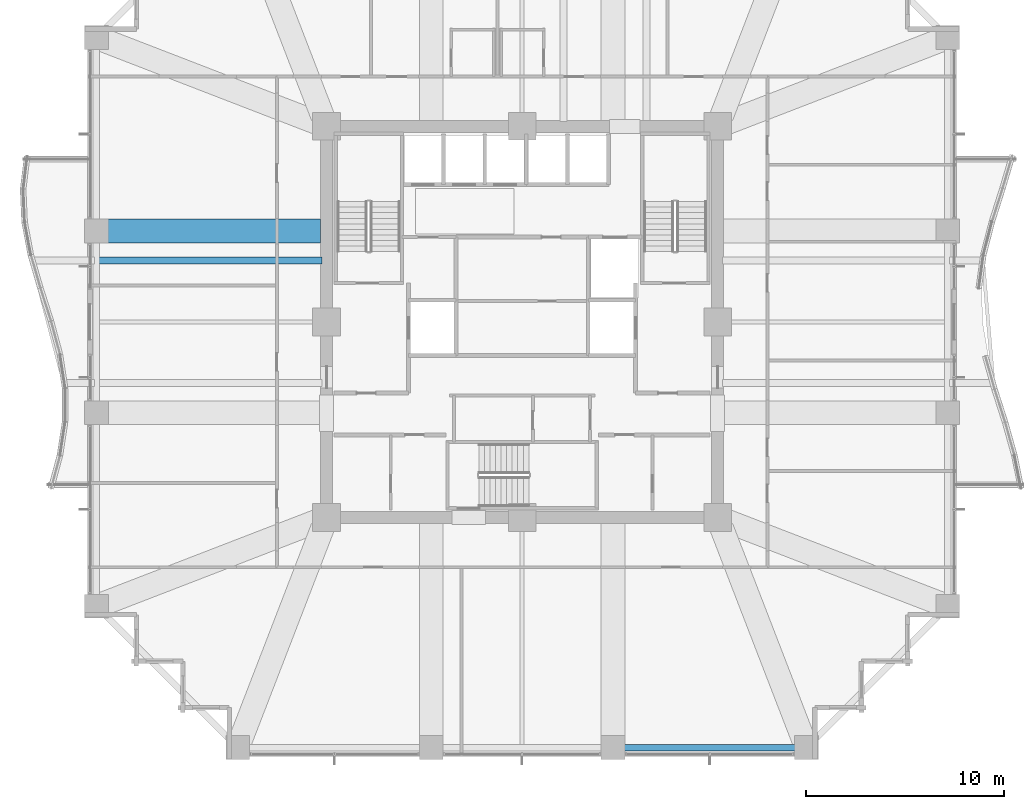
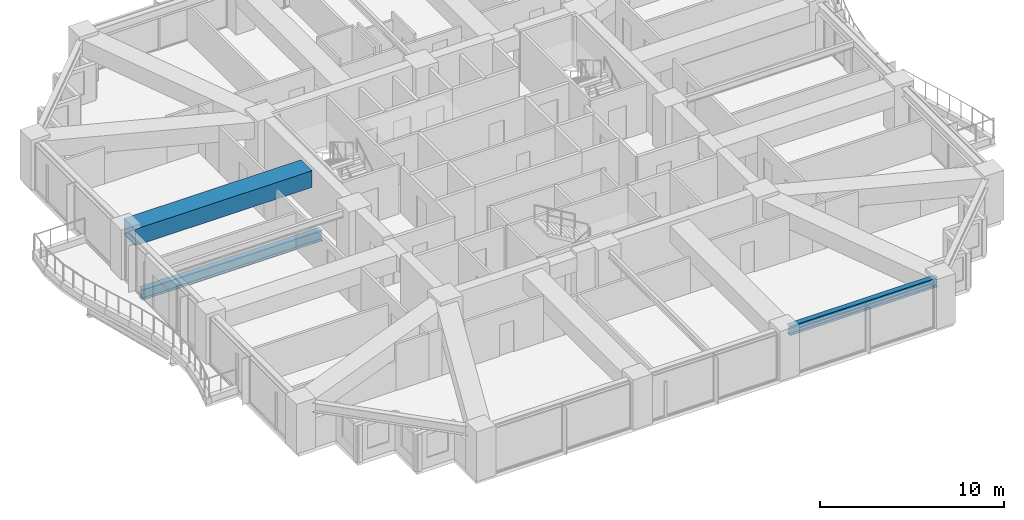
# One storey, part 10 of 39: 3 beams.
"""IFC4 building model written with IfcOpenShell, lengths in metres."""

from ifc_helpers import new_model, si_unit, direction, frame, origin, origin_2d, place, context, subcontext, project, spatial, rectangle, i_section, extrude, material, material_profile, profile_set, type_object, element, save


model = new_model("IFC4")

# Units and contexts
model_context = context("Model", 3, precision=1e-05, world=origin(), true_north=direction((0.0, 1.0)))
body_context = subcontext(model_context, "Body", "Model", "MODEL_VIEW")
ifc_project = project(units=[si_unit("LENGTHUNIT", "METRE"), si_unit("AREAUNIT", "SQUARE_METRE"), si_unit("VOLUMEUNIT", "CUBIC_METRE"), si_unit("PLANEANGLEUNIT", "RADIAN"), si_unit("MASSUNIT", "GRAM", prefix="KILO")], contexts=[model_context])

# Site, building, storey
site_placement = place(None, origin())
site = spatial("IfcSite", under=ifc_project, at=site_placement, CompositionType="ELEMENT")
building_placement = place(site_placement, origin())
building = spatial("IfcBuilding", under=site, at=building_placement, Name="Kolvaren Belvedere", CompositionType="ELEMENT")
storey_placement = place(building_placement, frame((0.0, 0.0, 33.699951171875)))
storey = spatial("IfcBuildingStorey", under=building, at=storey_placement, Name="L09", CompositionType="ELEMENT", Elevation=33.699951171875)

# Beams
ifc_material_1 = material(Name="Structural steel ASTM A992 Grade 50", Category="steel")
ifc_material_profile_1 = material_profile(ifc_material_1, i_section(OverallWidth=0.35498046875, OverallDepth=0.696044921875, WebThickness=0.015380859375, FlangeThickness=0.02490234375, FilletRadius=0.02197265625, at=origin_2d()), Name="W27X146")
ifc_profile_set_1 = profile_set([ifc_material_profile_1], Name="Structural steel ASTM A992 Grade 50")
beam_type_1 = type_object("IfcBeamType", Name="BM-GIRD-W27X146", PredefinedType="BEAM", material=ifc_profile_set_1)
beam_1_placement = place(storey_placement, frame((-10.139892578125, 3.10009765625, -0.587890625), z_axis=(-1.0, 0.0, 0.0), x_axis=(0.0, -1.0, 0.0)))
element("IfcBeam", 1, at=beam_1_placement, inside=storey, type_object=beam_type_1, Name="L09 Balcony Interior Back-Span Girder BAL-W-2", PredefinedType="BEAM", context=body_context, shape_type="SweptSolid", body=[
    extrude(i_section(OverallWidth=0.35498046875, OverallDepth=0.696044921875, WebThickness=0.015380859375, FlangeThickness=0.02490234375, FilletRadius=0.02197265625, at=origin_2d()), origin(), (0.0, 0.0, 1.0), 11.315185546875),
])
ifc_material_2 = material(Name="Structural steel ASTM A992 Grade 50", Category="steel")
ifc_material_profile_2 = material_profile(ifc_material_2, i_section(OverallWidth=0.324951171875, OverallDepth=0.615966796875, WebThickness=0.013916015625, FlangeThickness=0.021484375, FilletRadius=0.02001953125, at=origin_2d()), Name="W24X117")
ifc_profile_set_2 = profile_set([ifc_material_profile_2], Name="Structural steel ASTM A992 Grade 50")
beam_type_2 = type_object("IfcBeamType", Name="BM-SPAN-W24X117", PredefinedType="SPANDREL", material=ifc_profile_set_2)
beam_2_placement = place(storey_placement, frame((4.8701171875, -21.550048828125, 2.751953125), z_axis=(1.0, 0.0, 0.0), x_axis=(0.0, 1.0, 0.0)))
element("IfcBeam", 2, at=beam_2_placement, inside=storey, type_object=beam_type_2, Name="L09 Perimeter Spandrel S3-S4", PredefinedType="SPANDREL", context=body_context, shape_type="SweptSolid", body=[
    extrude(i_section(OverallWidth=0.324951171875, OverallDepth=0.615966796875, WebThickness=0.013916015625, FlangeThickness=0.021484375, FilletRadius=0.02001953125, at=origin_2d()), origin(), (0.0, 0.0, 1.0), 9.259765625),
])
ifc_material_3 = material(Name="Concrete C50/60", Category="concrete")
ifc_material_profile_3 = material_profile(ifc_material_3, rectangle(XDim=1.199951171875, YDim=1.10009765625, at=origin_2d()), Name="RC 1200X1100")
ifc_profile_set_3 = profile_set([ifc_material_profile_3], Name="Concrete C50/60")
beam_type_3 = type_object("IfcBeamType", Name="BM-TG-1100", PredefinedType="BEAM", material=ifc_profile_set_3)
beam_3_placement = place(storey_placement, frame((-10.199951171875, 4.60009765625, 2.510009765625), z_axis=(-1.0, 0.0, 0.0), x_axis=(0.0, -1.0, 0.0)))
element("IfcBeam", 3, at=beam_3_placement, inside=storey, type_object=beam_type_3, Name="L09 West Radial Girder P", PredefinedType="BEAM", context=body_context, shape_type="SweptSolid", body=[
    extrude(rectangle(XDim=1.199951171875, YDim=1.10009765625, at=origin_2d()), origin(), (0.0, 0.0, 1.0), 11.080078125),
])

save(model, "model.ifc")
